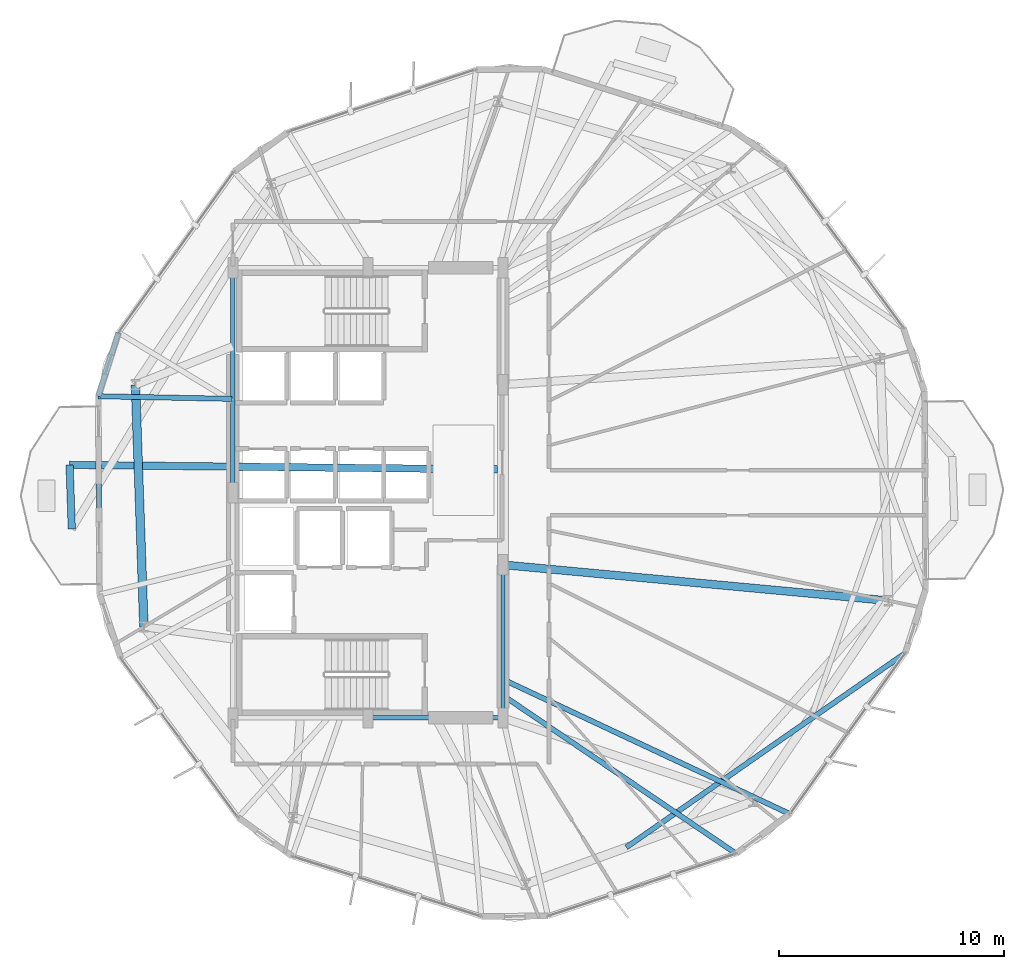
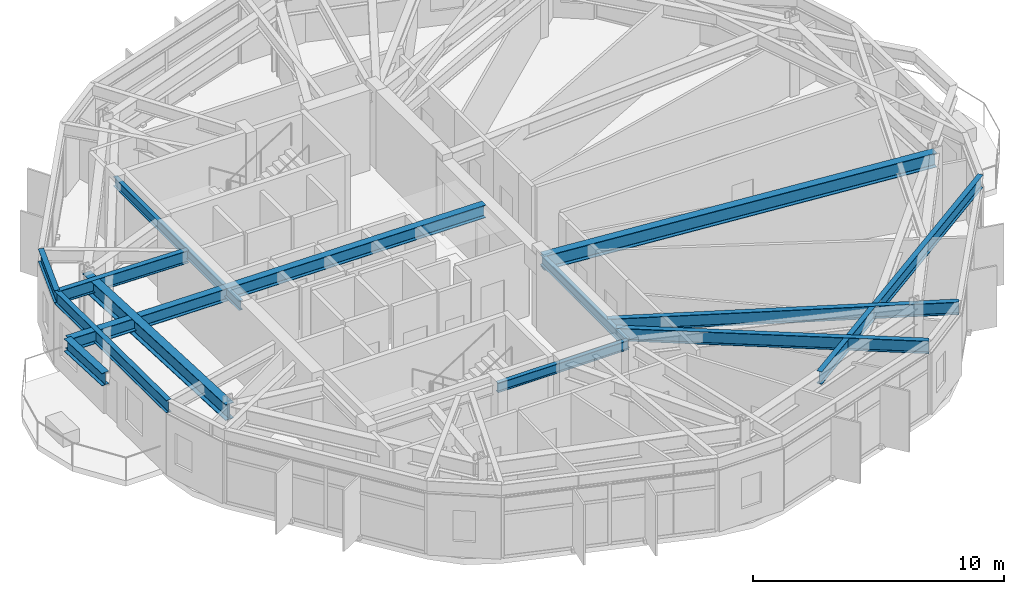
# One storey, part 7 of 27: 13 beams.
"""IFC4 building model written with IfcOpenShell, lengths in metres."""

from ifc_helpers import new_model, si_unit, direction, frame, origin, origin_2d, place, context, subcontext, project, spatial, i_section, extrude, material, material_profile, profile_set, type_object, element, save


model = new_model("IFC4")

# Units and contexts
model_context = context("Model", 3, precision=1e-05, world=origin(), true_north=direction((0.0, 1.0)))
body_context = subcontext(model_context, "Body", "Model", "MODEL_VIEW")
ifc_project = project(units=[si_unit("LENGTHUNIT", "METRE"), si_unit("AREAUNIT", "SQUARE_METRE"), si_unit("VOLUMEUNIT", "CUBIC_METRE"), si_unit("PLANEANGLEUNIT", "RADIAN"), si_unit("MASSUNIT", "GRAM", prefix="KILO")], contexts=[model_context])

# Site, building, storey
site_placement = place(None, origin())
site = spatial("IfcSite", under=ifc_project, at=site_placement, CompositionType="ELEMENT")
building_placement = place(site_placement, origin())
building = spatial("IfcBuilding", under=site, at=building_placement, Name="Soratama Intermodal Tower", CompositionType="ELEMENT")
storey_placement = place(building_placement, frame((0.0, 0.0, 99.10009765625)))
storey = spatial("IfcBuildingStorey", under=building, at=storey_placement, Name="L23", CompositionType="ELEMENT", Elevation=99.10009765625)

# Beams
ifc_material_1 = material(Name="Structural steel ASTM A992 Grade 50", Category="steel")
ifc_material_profile_1 = material_profile(ifc_material_1, i_section(OverallWidth=0.324951171875, OverallDepth=0.615966796875, WebThickness=0.013916015625, FlangeThickness=0.021484375, FilletRadius=0.013916015625, at=origin_2d()), Name="W24X117")
ifc_profile_set_1 = profile_set([ifc_material_profile_1], Name="Structural steel ASTM A992 Grade 50")
beam_type_1 = type_object("IfcBeamType", Name="BM-CANT-W24X117", PredefinedType="BEAM", material=ifc_profile_set_1)
beam_1_placement = place(storey_placement, frame((25.346923828125, 26.238037109375, 3.2919921875), z_axis=(0.034807752834, -0.999394026569, 0.0), x_axis=(0.999394026569, 0.034807752834, 0.0)))
element("IfcBeam", 1, at=beam_1_placement, inside=storey, type_object=beam_type_1, Name="BM-L23-CBHDR-3", PredefinedType="BEAM", context=body_context, shape_type="SweptSolid", body=[
    extrude(i_section(OverallWidth=0.324951171875, OverallDepth=0.615966796875, WebThickness=0.013916015625, FlangeThickness=0.021484375, FilletRadius=0.013916015625, at=origin_2d()), origin(), (0.0, 0.0, 1.0), 2.84765625),
])
beam_2_placement = place(storey_placement, frame((44.364990234375, 26.037109375, 3.2919921875), z_axis=(-0.999944194024, 0.010564508353, 0.0), x_axis=(-0.010564508353, -0.999944194024, 0.0)))
element("IfcBeam", 2, at=beam_2_placement, inside=storey, type_object=beam_type_1, Name="BM-L23-CANT-3-1", PredefinedType="BEAM", context=body_context, shape_type="SweptSolid", body=[
    extrude(i_section(OverallWidth=0.324951171875, OverallDepth=0.615966796875, WebThickness=0.013916015625, FlangeThickness=0.021484375, FilletRadius=0.013916015625, at=origin_2d()), origin(), (0.0, 0.0, 1.0), 19.01904296875),
])
ifc_material_2 = material(Name="Structural steel ASTM A992 Grade 50", Category="steel")
ifc_material_profile_2 = material_profile(ifc_material_2, i_section(OverallWidth=0.19091796875, OverallDepth=0.4599609375, WebThickness=0.010009765625, FlangeThickness=0.01611328125, FilletRadius=0.010986328125, at=origin_2d()), Name="W18X55")
ifc_profile_set_2 = profile_set([ifc_material_profile_2], Name="Structural steel ASTM A992 Grade 50")
beam_type_2 = type_object("IfcBeamType", Name="BM-FLR-W18X55", PredefinedType="BEAM", material=ifc_profile_set_2)
beam_3_placement = place(storey_placement, frame((38.60009765625, 15.0, 3.369873046875), z_axis=(1.0, 0.0, 0.0), x_axis=(0.0, 1.0, 0.0)))
element("IfcBeam", 3, at=beam_3_placement, inside=storey, type_object=beam_type_2, Name="BM-L23-CRING-02", PredefinedType="BEAM", context=body_context, shape_type="SweptSolid", body=[
    extrude(i_section(OverallWidth=0.19091796875, OverallDepth=0.4599609375, WebThickness=0.010009765625, FlangeThickness=0.01611328125, FilletRadius=0.010986328125, at=origin_2d()), origin(), (0.0, 0.0, 1.0), 6.0),
])
beam_4_placement = place(storey_placement, frame((44.60009765625, 15.0, 3.369873046875), z_axis=(0.0, 1.0, 0.0), x_axis=(-1.0, 0.0, 0.0)))
element("IfcBeam", 4, at=beam_4_placement, inside=storey, type_object=beam_type_2, Name="BM-L23-CRING-03", PredefinedType="BEAM", context=body_context, shape_type="SweptSolid", body=[
    extrude(i_section(OverallWidth=0.19091796875, OverallDepth=0.4599609375, WebThickness=0.010009765625, FlangeThickness=0.01611328125, FilletRadius=0.010986328125, at=origin_2d()), origin(), (0.0, 0.0, 1.0), 6.800048828125),
])
beam_5_placement = place(storey_placement, frame((32.60009765625, 35.0, 3.369873046875), z_axis=(0.0, -1.0, 0.0), x_axis=(1.0, 0.0, 0.0)))
element("IfcBeam", 5, at=beam_5_placement, inside=storey, type_object=beam_type_2, Name="BM-L23-CRING-08", PredefinedType="BEAM", context=body_context, shape_type="SweptSolid", body=[
    extrude(i_section(OverallWidth=0.19091796875, OverallDepth=0.4599609375, WebThickness=0.010009765625, FlangeThickness=0.01611328125, FilletRadius=0.010986328125, at=origin_2d()), origin(), (0.0, 0.0, 1.0), 10.0),
])
ifc_material_3 = material(Name="Structural steel ASTM A992 Grade 50", Category="steel")
ifc_material_profile_3 = material_profile(ifc_material_3, i_section(OverallWidth=0.35498046875, OverallDepth=0.695068359375, WebThickness=0.015380859375, FlangeThickness=0.02490234375, FilletRadius=0.01611328125, at=origin_2d()), Name="W27X146")
ifc_profile_set_3 = profile_set([ifc_material_profile_3], Name="Structural steel ASTM A992 Grade 50")
beam_type_3 = type_object("IfcBeamType", Name="BM-RING-W27X146", PredefinedType="BEAM", material=ifc_profile_set_3)
beam_6_placement = place(storey_placement, frame((44.60009765625, 21.800048828125, 3.25244140625), z_axis=(0.995686011515, -0.092786671855, 0.0), x_axis=(0.092786671855, 0.995686011515, 0.0)))
element("IfcBeam", 6, at=beam_6_placement, inside=storey, type_object=beam_type_3, Name="BM-L23-RAD-10", PredefinedType="BEAM", context=body_context, shape_type="SweptSolid", body=[
    extrude(i_section(OverallWidth=0.35498046875, OverallDepth=0.695068359375, WebThickness=0.015380859375, FlangeThickness=0.02490234375, FilletRadius=0.01611328125, at=origin_2d()), origin(), (0.0, 0.0, 1.0), 17.2001953125),
])
ifc_material_4 = material(Name="Structural steel ASTM A992 Grade 50", Category="steel")
ifc_material_profile_4 = material_profile(ifc_material_4, i_section(OverallWidth=0.382080078125, OverallDepth=0.779052734375, WebThickness=0.01806640625, FlangeThickness=0.030029296875, FilletRadius=0.01806640625, at=origin_2d()), Name="W30X191")
ifc_profile_set_4 = profile_set([ifc_material_profile_4], Name="Structural steel ASTM A992 Grade 50")
beam_type_4 = type_object("IfcBeamType", Name="BM-RING-W30X191", PredefinedType="BEAM", material=ifc_profile_set_4)
beam_7_placement = place(storey_placement, frame((28.27392578125, 29.7958984375, 3.21044921875), z_axis=(0.034872799059, -0.999391758964, 0.0), x_axis=(0.999391758964, 0.034872799059, 0.0)))
element("IfcBeam", 7, at=beam_7_placement, inside=storey, type_object=beam_type_4, Name="BM-L23-RING-05", PredefinedType="BEAM", context=body_context, shape_type="SweptSolid", body=[
    extrude(i_section(OverallWidth=0.382080078125, OverallDepth=0.779052734375, WebThickness=0.01806640625, FlangeThickness=0.030029296875, FilletRadius=0.01806640625, at=origin_2d()), origin(), (0.0, 0.0, 1.0), 10.75341796875),
])
ifc_material_5 = material(Name="Structural steel ASTM A992 Grade 50", Category="steel")
ifc_material_profile_5 = material_profile(ifc_material_5, i_section(OverallWidth=0.22900390625, OverallDepth=0.612060546875, WebThickness=0.011962890625, FlangeThickness=0.01953125, FilletRadius=0.012939453125, at=origin_2d()), Name="W24X84")
ifc_profile_set_5 = profile_set([ifc_material_profile_5], Name="Structural steel ASTM A992 Grade 50")
beam_type_5 = type_object("IfcBeamType", Name="BM-SPN-W24X84", PredefinedType="SPANDREL", material=ifc_profile_set_5)
beam_8_placement = place(storey_placement, frame((27.52001953125, 32.114990234375, 3.2939453125), z_axis=(-0.303037195022, -0.952978729266, 0.0), x_axis=(0.952978729266, -0.303037195022, 0.0)))
element("IfcBeam", 8, at=beam_8_placement, inside=storey, type_object=beam_type_5, Name="BS-L23-CRN04", PredefinedType="SPANDREL", context=body_context, shape_type="SweptSolid", body=[
    extrude(i_section(OverallWidth=0.22900390625, OverallDepth=0.612060546875, WebThickness=0.011962890625, FlangeThickness=0.01953125, FilletRadius=0.012939453125, at=origin_2d()), origin(), (0.0, 0.0, 1.0), 2.96630859375),
])
beam_9_placement = place(storey_placement, frame((26.62109375, 29.2880859375, 3.2939453125), z_axis=(0.006237749449, -0.999980545052, 0.0), x_axis=(0.999980545052, 0.006237749449, 0.0)))
element("IfcBeam", 9, at=beam_9_placement, inside=storey, type_object=beam_type_5, Name="BS-L23-F05", PredefinedType="SPANDREL", context=body_context, shape_type="SweptSolid", body=[
    extrude(i_section(OverallWidth=0.22900390625, OverallDepth=0.612060546875, WebThickness=0.011962890625, FlangeThickness=0.01953125, FilletRadius=0.012939453125, at=origin_2d()), origin(), (0.0, 0.0, 1.0), 8.806396484375),
])
ifc_material_6 = material(Name="Structural steel ASTM A992 Grade 50", Category="steel")
ifc_material_profile_6 = material_profile(ifc_material_6, i_section(OverallWidth=0.22900390625, OverallDepth=0.612060546875, WebThickness=0.011962890625, FlangeThickness=0.01953125, FilletRadius=0.012939453125, at=origin_2d()), Name="W24X84")
ifc_profile_set_6 = profile_set([ifc_material_profile_6], Name="Structural steel ASTM A992 Grade 50")
beam_type_6 = type_object("IfcBeamType", Name="BM-TIE-W24X84", PredefinedType="BEAM", material=ifc_profile_set_6)
beam_10_placement = place(storey_placement, frame((32.56005859375, 29.1708984375, 3.2939453125), z_axis=(-0.99980538143, 0.019728133811, 0.0), x_axis=(-0.019728133811, -0.99980538143, 0.0)))
element("IfcBeam", 10, at=beam_10_placement, inside=storey, type_object=beam_type_6, Name="BM-L23-TIE0-05", PredefinedType="BEAM", context=body_context, shape_type="SweptSolid", body=[
    extrude(i_section(OverallWidth=0.22900390625, OverallDepth=0.612060546875, WebThickness=0.011962890625, FlangeThickness=0.01953125, FilletRadius=0.012939453125, at=origin_2d()), origin(), (0.0, 0.0, 1.0), 5.940185546875),
])
beam_11_placement = place(storey_placement, frame((44.633056640625, 15.972900390625, 3.2939453125), z_axis=(0.827611138408, -0.561301882755, 0.0), x_axis=(0.561301882755, 0.827611138408, 0.0)))
element("IfcBeam", 11, at=beam_11_placement, inside=storey, type_object=beam_type_6, Name="BM-L23-TIE1-08", PredefinedType="BEAM", context=body_context, shape_type="SweptSolid", body=[
    extrude(i_section(OverallWidth=0.22900390625, OverallDepth=0.612060546875, WebThickness=0.011962890625, FlangeThickness=0.01953125, FilletRadius=0.012939453125, at=origin_2d()), origin(), (0.0, 0.0, 1.0), 12.47802734375),
])
beam_12_placement = place(storey_placement, frame((44.635986328125, 16.69189453125, 3.2939453125), z_axis=(0.905333409238, -0.424701563591, 0.0), x_axis=(0.424701563591, 0.905333409238, 0.0)))
element("IfcBeam", 12, at=beam_12_placement, inside=storey, type_object=beam_type_6, Name="BM-L23-TIE0-09", PredefinedType="BEAM", context=body_context, shape_type="SweptSolid", body=[
    extrude(i_section(OverallWidth=0.22900390625, OverallDepth=0.612060546875, WebThickness=0.011962890625, FlangeThickness=0.01953125, FilletRadius=0.012939453125, at=origin_2d()), origin(), (0.0, 0.0, 1.0), 14.04248046875),
])
beam_13_placement = place(storey_placement, frame((50.0791015625, 9.2490234375, 3.2939453125), z_axis=(0.820616968639, 0.571478600458, 0.0), x_axis=(-0.571478600458, 0.820616968639, 0.0)))
element("IfcBeam", 13, at=beam_13_placement, inside=storey, type_object=beam_type_6, Name="BM-L23-TIE1-09", PredefinedType="BEAM", context=body_context, shape_type="SweptSolid", body=[
    extrude(i_section(OverallWidth=0.22900390625, OverallDepth=0.612060546875, WebThickness=0.011962890625, FlangeThickness=0.01953125, FilletRadius=0.012939453125, at=origin_2d()), origin(), (0.0, 0.0, 1.0), 15.111572265625),
])

save(model, "model.ifc")
